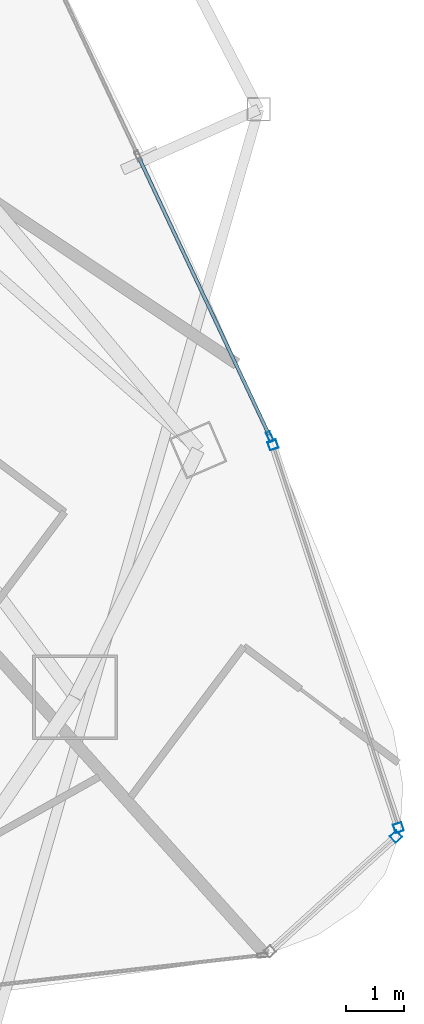
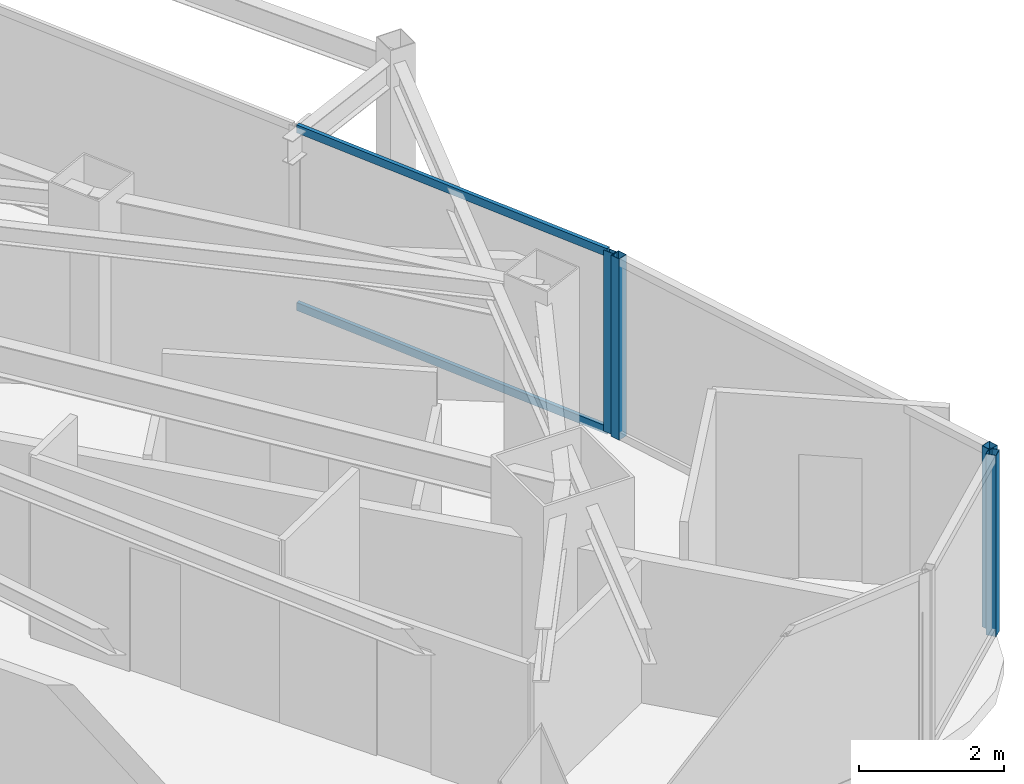
# One storey, part 17 of 30: 6 members, 3 elements without a shape of their own.
"""IFC4 building model written with IfcOpenShell, lengths in metres."""

from ifc_helpers import new_model, si_unit, direction, frame, origin, origin_2d, place, context, subcontext, project, spatial, hollow_rectangle, extrude, material, layer, layer_set, material_profile, profile_set, type_object, element, aggregate, save


model = new_model("IFC4")

# Units and contexts
model_context = context("Model", 3, precision=1e-05, world=origin(), true_north=direction((0.0, 1.0)))
body_context = subcontext(model_context, "Body", "Model", "MODEL_VIEW")
ifc_project = project(units=[si_unit("LENGTHUNIT", "METRE"), si_unit("AREAUNIT", "SQUARE_METRE"), si_unit("VOLUMEUNIT", "CUBIC_METRE"), si_unit("PLANEANGLEUNIT", "RADIAN"), si_unit("MASSUNIT", "GRAM", prefix="KILO")], contexts=[model_context])

# Site, building, storey
site_placement = place(None, origin())
site = spatial("IfcSite", under=ifc_project, at=site_placement, CompositionType="ELEMENT")
building_placement = place(site_placement, origin())
building = spatial("IfcBuilding", under=site, at=building_placement, Name="Orvanel Arch Residences", CompositionType="ELEMENT")
storey_placement = place(building_placement, frame((0.0, 0.0, 180.35009765625)))
storey = spatial("IfcBuildingStorey", under=building, at=storey_placement, Name="L51", CompositionType="ELEMENT", Elevation=180.35009765625)

# Curtain wall, member
ifc_material = material(Name="Bronze-anodised aluminium AA6063-T6", Category="aluminium")
ifc_layer_1 = layer(ifc_material, 0.18994140625)
ifc_layer_set_1 = layer_set([ifc_layer_1], Name="Bronze-anodised aluminium AA6063-T6")
curtain_wall_type_1 = type_object("IfcCurtainWallType", Name="CW5-CRN-SYS", PredefinedType="NOTDEFINED", material=ifc_layer_set_1)
curtain_wall_1_placement = place(storey_placement, origin())
curtain_wall_1 = element("IfcCurtainWall", 1, at=curtain_wall_1_placement, inside=storey, type_object=curtain_wall_type_1, Name="L51 CW5-CRN-SYS Unitised Curtain Wall", PredefinedType="NOTDEFINED")
ifc_material_profile_1 = material_profile(ifc_material, hollow_rectangle(XDim=0.14990234375, YDim=0.14990234375, WallThickness=0.0048828125, at=origin_2d()), Name="ALU150x150x5")
ifc_profile_set_1 = profile_set([ifc_material_profile_1], Name="Bronze-anodised aluminium AA6063-T6")
member_type_1 = type_object("IfcMemberType", Name="MUL-150x150", PredefinedType="MULLION", material=ifc_profile_set_1)
member_1_placement = place(storey_placement, frame((57.29052734375, 7.968505859375, 0.0), z_axis=(0.0, 0.0, 1.0), x_axis=(-0.672347823548, 0.740235370791, 0.0)))
member_1 = element("IfcMember", 2, at=member_1_placement, type_object=member_type_1, Name="CW-S5 mullion 2", PredefinedType="MULLION", context=body_context, shape_type="SweptSolid", body=[
    extrude(hollow_rectangle(XDim=0.14990234375, YDim=0.14990234375, WallThickness=0.0048828125, at=origin_2d()), origin(), (0.0, 0.0, 1.0), 3.059814453125),
])
aggregate(curtain_wall_1, [member_1])

# Curtain wall, members
curtain_wall_2_placement = place(storey_placement, origin())
curtain_wall_2 = element("IfcCurtainWall", 3, at=curtain_wall_2_placement, inside=storey, type_object=curtain_wall_type_1, Name="L51 CW5-CRN-SYS Unitised Curtain Wall", PredefinedType="NOTDEFINED")
member_2_placement = place(storey_placement, frame((57.33154296875, 8.122314453125, 0.0), z_axis=(0.0, 0.0, 1.0), x_axis=(-0.9502626347, -0.311449715192, 0.0)))
member_2 = element("IfcMember", 4, at=member_2_placement, type_object=member_type_1, Name="CW-S5 mullion 1", PredefinedType="MULLION", context=body_context, shape_type="SweptSolid", body=[
    extrude(hollow_rectangle(XDim=0.14990234375, YDim=0.14990234375, WallThickness=0.0048828125, at=origin_2d()), origin(), (0.0, 0.0, 1.0), 3.059814453125),
])
member_3_placement = place(storey_placement, frame((55.186279296875, 14.667724609375, 0.0), z_axis=(0.0, 0.0, 1.0), x_axis=(-0.9502626347, -0.311449715192, 0.0)))
member_3 = element("IfcMember", 5, at=member_3_placement, type_object=member_type_1, Name="CW-S5 mullion 2", PredefinedType="MULLION", context=body_context, shape_type="SweptSolid", body=[
    extrude(hollow_rectangle(XDim=0.14990234375, YDim=0.14990234375, WallThickness=0.0048828125, at=origin_2d()), origin(), (0.0, 0.0, 1.0), 3.059814453125),
])
aggregate(curtain_wall_2, [member_2, member_3])

ifc_layer_2 = layer(ifc_material, 0.179931640625)
ifc_layer_set_2 = layer_set([ifc_layer_2], Name="Bronze-anodised aluminium AA6063-T6")
curtain_wall_type_2 = type_object("IfcCurtainWallType", Name="CW3-MID-SYS", PredefinedType="NOTDEFINED", material=ifc_layer_set_2)
curtain_wall_3_placement = place(storey_placement, origin())
curtain_wall_3 = element("IfcCurtainWall", 6, at=curtain_wall_3_placement, inside=storey, type_object=curtain_wall_type_2, Name="L51 CW3-MID-SYS Unitised Curtain Wall", PredefinedType="NOTDEFINED")
ifc_material_profile_2 = material_profile(ifc_material, hollow_rectangle(XDim=0.070068359375, YDim=0.179931640625, WallThickness=0.00439453125, at=origin_2d()), Name="ALU180x70x4.5")
ifc_profile_set_2 = profile_set([ifc_material_profile_2], Name="Bronze-anodised aluminium AA6063-T6")
member_type_2 = type_object("IfcMemberType", Name="MUL-180x70", PredefinedType="MULLION", material=ifc_profile_set_2)
member_4_placement = place(storey_placement, frame((55.133056640625, 14.8076171875, 0.0), z_axis=(0.0, 0.0, 1.0), x_axis=(-0.905189876787, -0.425007396362, 0.0)))
member_4 = element("IfcMember", 7, at=member_4_placement, type_object=member_type_2, Name="CW-S3 mullion 1", PredefinedType="MULLION", context=body_context, shape_type="SweptSolid", body=[
    extrude(hollow_rectangle(XDim=0.070068359375, YDim=0.179931640625, WallThickness=0.00439453125, at=origin_2d()), origin(), (0.0, 0.0, 1.0), 3.059814453125),
])
ifc_material_profile_3 = material_profile(ifc_material, hollow_rectangle(XDim=0.06005859375, YDim=0.135009765625, WallThickness=0.00390625, at=origin_2d()), Name="ALU135x60x4")
ifc_profile_set_3 = profile_set([ifc_material_profile_3], Name="Bronze-anodised aluminium AA6063-T6")
member_type_3 = type_object("IfcMemberType", Name="TRN-135x60", PredefinedType="USERDEFINED", material=ifc_profile_set_3)
member_5_placement = place(storey_placement, frame((55.1181640625, 14.83935546875, 0.02978515625), z_axis=(-0.424999206881, 0.905193721891, 0.0), x_axis=(-0.905193721891, -0.424999206881, 0.0)))
member_5 = element("IfcMember", 8, at=member_5_placement, type_object=member_type_3, Name="CW-S3 transom 1.1", ObjectType="TRANSOM", PredefinedType="USERDEFINED", context=body_context, shape_type="SweptSolid", body=[
    extrude(hollow_rectangle(XDim=0.06005859375, YDim=0.135009765625, WallThickness=0.00390625, at=origin_2d()), origin(), (0.0, 0.0, 1.0), 5.232666015625),
])
member_6_placement = place(storey_placement, frame((55.1181640625, 14.83935546875, 3.02978515625), z_axis=(-0.424999206881, 0.905193721891, 0.0), x_axis=(-0.905193721891, -0.424999206881, 0.0)))
member_6 = element("IfcMember", 9, at=member_6_placement, type_object=member_type_3, Name="CW-S3 transom 1.2", ObjectType="TRANSOM", PredefinedType="USERDEFINED", context=body_context, shape_type="SweptSolid", body=[
    extrude(hollow_rectangle(XDim=0.06005859375, YDim=0.135009765625, WallThickness=0.00390625, at=origin_2d()), origin(), (0.0, 0.0, 1.0), 5.232666015625),
])
aggregate(curtain_wall_3, [member_4, member_5, member_6])

save(model, "model.ifc")
